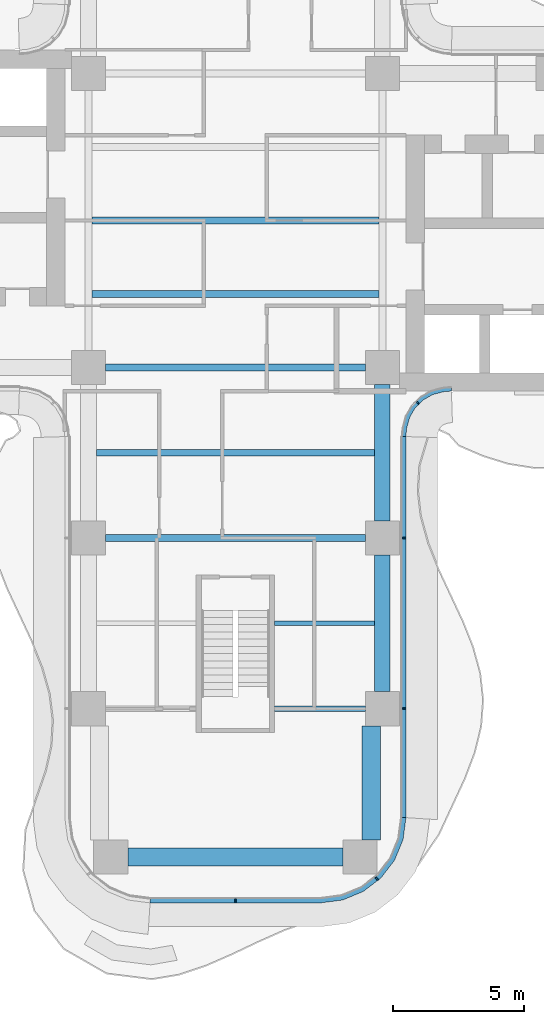
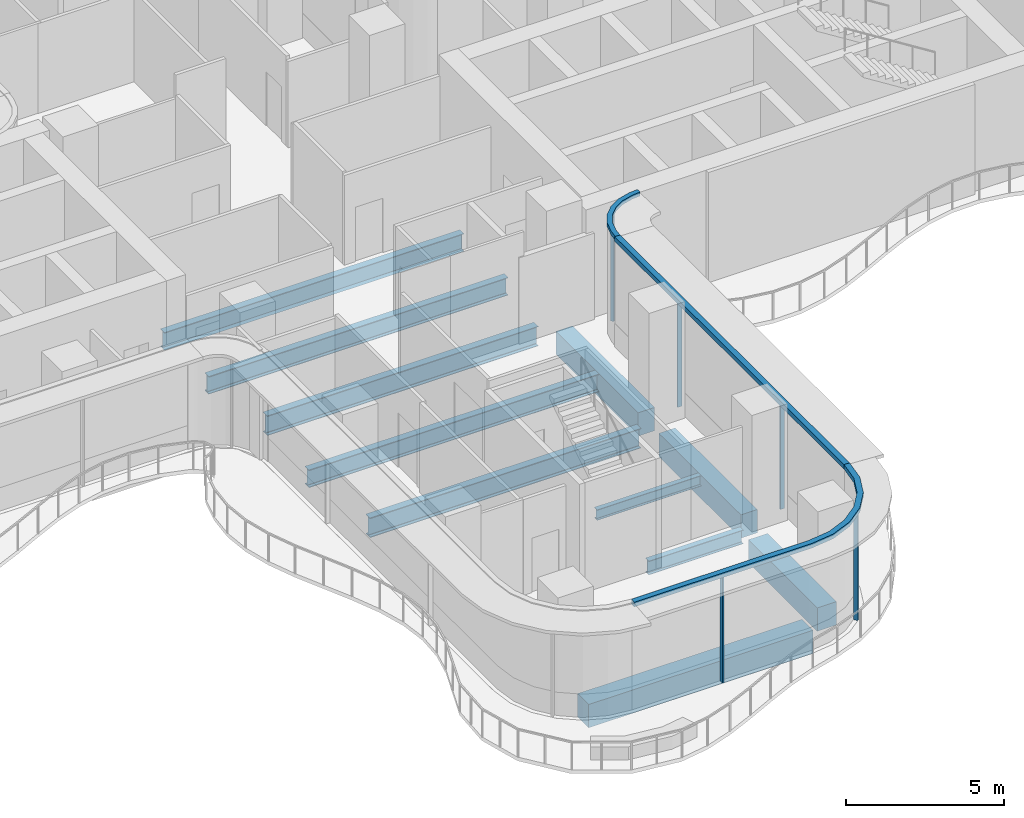
# One storey, part 5 of 20: 11 beams, 8 members, 3 elements without a shape of their own.
"""IFC4 building model written with IfcOpenShell, lengths in metres."""

from ifc_helpers import new_model, si_unit, direction, frame, origin, origin_2d, place, context, subcontext, project, spatial, polyline, rectangle, i_section, outline, extrude, source, transform, mapped, material, layer, layer_set, material_profile, profile_set, type_object, element, aggregate, save


model = new_model("IFC4")

# Units and contexts
model_context = context("Model", 3, precision=1e-05, world=origin(), true_north=direction((0.0, 1.0)))
body_context = subcontext(model_context, "Body", "Model", "MODEL_VIEW")
ifc_project = project(units=[si_unit("LENGTHUNIT", "METRE"), si_unit("AREAUNIT", "SQUARE_METRE"), si_unit("VOLUMEUNIT", "CUBIC_METRE"), si_unit("PLANEANGLEUNIT", "RADIAN"), si_unit("MASSUNIT", "GRAM", prefix="KILO")], contexts=[model_context])

# Site, building, storey
site_placement = place(None, origin())
site = spatial("IfcSite", under=ifc_project, at=site_placement, CompositionType="ELEMENT")
building_placement = place(site_placement, origin())
building = spatial("IfcBuilding", under=site, at=building_placement, Name="Trellis Farm Tower", CompositionType="ELEMENT")
storey_placement = place(building_placement, frame((0.0, 0.0, 129.0)))
storey = spatial("IfcBuildingStorey", under=building, at=storey_placement, Name="L27", CompositionType="ELEMENT", Elevation=129.0)

# Beams
ifc_material_1 = material(Name="Steel S355", Category="steel")
ifc_material_profile_1 = material_profile(ifc_material_1, i_section(OverallWidth=0.253662109375, OverallDepth=0.68359375, WebThickness=0.012451171875, FlangeThickness=0.021728515625, FilletRadius=0.01513671875, at=origin_2d()), Name="UB 686x254x140")
ifc_profile_set_1 = profile_set([ifc_material_profile_1], Name="Steel S355")
beam_type_1 = type_object("IfcBeamType", Name="UB 686x254x140 joist", PredefinedType="JOIST", material=ifc_profile_set_1)
shared_shape_1 = source(origin(), body_context, "Body", "SweptSolid", [
    extrude(i_section(OverallWidth=0.253662109375, OverallDepth=0.68359375, WebThickness=0.012451171875, FlangeThickness=0.021728515625, FilletRadius=0.01513671875, at=origin_2d()), origin(), (0.0, 0.0, 1.0), 10.93310546875),
])
for number, where, z_axis, x_axis, name in (
    (1, (-5.466552734375, -2.800048828125, -0.591796875), (1.0, 0.0, 0.0), (0.0, 1.0, 0.0), "Floor beam"),
    (2, (-5.466552734375, 0.0, -0.591796875), (1.0, 0.0, 0.0), (0.0, 1.0, 0.0), "Floor beam"),
):
    element("IfcBeam", number, at=place(storey_placement, frame(where, z_axis=z_axis, x_axis=x_axis)), inside=storey, type_object=beam_type_1, Name=name, PredefinedType="JOIST", context=body_context, shape_type="MappedRepresentation", body=[
        mapped(shared_shape_1, transform((0.0, 0.0, 0.0))),
    ])
ifc_material_profile_2 = material_profile(ifc_material_1, i_section(OverallWidth=0.177978515625, OverallDepth=0.406494140625, WebThickness=0.0078125, FlangeThickness=0.0126953125, FilletRadius=0.01025390625, at=origin_2d()), Name="UB 406x178x60")
ifc_profile_set_2 = profile_set([ifc_material_profile_2], Name="Steel S355")
beam_type_2 = type_object("IfcBeamType", Name="UB 406x178x60 joist", PredefinedType="JOIST", material=ifc_profile_set_2)
shared_shape_2 = source(origin(), body_context, "Body", "SweptSolid", [
    extrude(i_section(OverallWidth=0.177978515625, OverallDepth=0.406494140625, WebThickness=0.0078125, FlangeThickness=0.0126953125, FilletRadius=0.01025390625, at=origin_2d()), origin(), (0.0, 0.0, 1.0), 3.800048828125),
])
beam_1_placement = place(storey_placement, frame((1.5, -15.35009765625, -0.453125), z_axis=(1.0, 0.0, 0.0), x_axis=(0.0, 1.0, 0.0)))
element("IfcBeam", 3, at=beam_1_placement, inside=storey, type_object=beam_type_2, Name="Floor beam", PredefinedType="JOIST", context=body_context, shape_type="MappedRepresentation", body=[
    mapped(shared_shape_2, transform((0.0, 0.0, 0.0))),
])
shared_shape_3 = source(origin(), body_context, "Body", "SweptSolid", [
    extrude(i_section(OverallWidth=0.253662109375, OverallDepth=0.68359375, WebThickness=0.012451171875, FlangeThickness=0.021728515625, FilletRadius=0.01513671875, at=origin_2d()), origin(), (0.0, 0.0, 1.0), 10.60009765625),
])
beam_2_placement = place(storey_placement, frame((-5.300048828125, -8.85009765625, -0.591796875), z_axis=(1.0, 0.0, 0.0), x_axis=(0.0, 1.0, 0.0)))
element("IfcBeam", 4, at=beam_2_placement, inside=storey, type_object=beam_type_1, Name="Floor beam", PredefinedType="JOIST", context=body_context, shape_type="MappedRepresentation", body=[
    mapped(shared_shape_3, transform((0.0, 0.0, 0.0))),
])
ifc_material_profile_3 = material_profile(ifc_material_1, i_section(OverallWidth=0.209228515625, OverallDepth=0.533203125, WebThickness=0.010009765625, FlangeThickness=0.015625, FilletRadius=0.0126953125, at=origin_2d()), Name="UB 533x210x92")
ifc_profile_set_3 = profile_set([ifc_material_profile_3], Name="Steel S355")
beam_type_3 = type_object("IfcBeamType", Name="UB 533x210x92", PredefinedType="BEAM", material=ifc_profile_set_3)
shared_shape_4 = source(origin(), body_context, "Body", "SweptSolid", [
    extrude(i_section(OverallWidth=0.209228515625, OverallDepth=0.533203125, WebThickness=0.010009765625, FlangeThickness=0.015625, FilletRadius=0.0126953125, at=origin_2d()), origin(), (0.0, 0.0, 1.0), 3.449951171875),
])
beam_3_placement = place(storey_placement, frame((1.5, -18.60009765625, -0.5166015625), z_axis=(1.0, 0.0, 0.0), x_axis=(0.0, 1.0, 0.0)))
element("IfcBeam", 5, at=beam_3_placement, inside=storey, type_object=beam_type_3, Name="Girder", PredefinedType="BEAM", context=body_context, shape_type="MappedRepresentation", body=[
    mapped(shared_shape_4, transform((0.0, 0.0, 0.0))),
])
ifc_material_profile_4 = material_profile(ifc_material_1, i_section(OverallWidth=0.2666015625, OverallDepth=0.76220703125, WebThickness=0.014404296875, FlangeThickness=0.021484375, FilletRadius=0.0166015625, at=origin_2d()), Name="UB 762x267x173")
ifc_profile_set_4 = profile_set([ifc_material_profile_4], Name="Steel S355")
beam_type_4 = type_object("IfcBeamType", Name="UB 762x267x173", PredefinedType="BEAM", material=ifc_profile_set_4)
shared_shape_5 = source(origin(), body_context, "Body", "SweptSolid", [
    extrude(i_section(OverallWidth=0.2666015625, OverallDepth=0.76220703125, WebThickness=0.014404296875, FlangeThickness=0.021484375, FilletRadius=0.0166015625, at=origin_2d()), origin(), (0.0, 0.0, 1.0), 9.89990234375),
])
for number, where, z_axis, x_axis, name in (
    (6, (-4.949951171875, -12.10009765625, -0.631103515625), (1.0, 0.0, 0.0), (0.0, 1.0, 0.0), "Girder"),
    (7, (-4.949951171875, -5.60009765625, -0.631103515625), (1.0, 0.0, 0.0), (0.0, 1.0, 0.0), "Girder"),
):
    element("IfcBeam", number, at=place(storey_placement, frame(where, z_axis=z_axis, x_axis=x_axis)), inside=storey, type_object=beam_type_4, Name=name, PredefinedType="BEAM", context=body_context, shape_type="MappedRepresentation", body=[
        mapped(shared_shape_5, transform((0.0, 0.0, 0.0))),
    ])
ifc_material_2 = material(Name="Concrete C60/75", Category="concrete")
ifc_material_profile_5 = material_profile(ifc_material_2, rectangle(XDim=0.60009765625, YDim=0.89990234375, at=origin_2d()), Name="RC spandrel beam 600x900 C60/75")
ifc_profile_set_5 = profile_set([ifc_material_profile_5], Name="Concrete C60/75")
beam_type_5 = type_object("IfcBeamType", Name="RC spandrel beam 600x900 C60/75", PredefinedType="SPANDREL", material=ifc_profile_set_5)
shared_shape_6 = source(origin(), body_context, "Body", "SweptSolid", [
    extrude(rectangle(XDim=0.60009765625, YDim=0.89990234375, at=origin_2d()), origin(), (0.0, 0.0, 1.0), 5.199951171875),
])
for number, where, z_axis, x_axis, name in (
    (8, (5.60009765625, -17.949951171875, -0.699951171875), (0.0, 1.0, 0.0), (-1.0, 0.0, 0.0), "Girder"),
    (9, (5.60009765625, -11.449951171875, -0.699951171875), (0.0, 1.0, 0.0), (-1.0, 0.0, 0.0), "Girder"),
):
    element("IfcBeam", number, at=place(storey_placement, frame(where, z_axis=z_axis, x_axis=x_axis)), inside=storey, type_object=beam_type_5, Name=name, PredefinedType="SPANDREL", context=body_context, shape_type="MappedRepresentation", body=[
        mapped(shared_shape_6, transform((0.0, 0.0, 0.0))),
    ])
ifc_material_profile_6 = material_profile(ifc_material_2, rectangle(XDim=0.699951171875, YDim=0.89990234375, at=origin_2d()), Name="RC spandrel beam 700x900 C60/75")
ifc_profile_set_6 = profile_set([ifc_material_profile_6], Name="Concrete C60/75")
beam_type_6 = type_object("IfcBeamType", Name="RC spandrel beam 700x900 C60/75", PredefinedType="SPANDREL", material=ifc_profile_set_6)
shared_shape_7 = source(origin(), body_context, "Body", "SweptSolid", [
    extrude(rectangle(XDim=0.699951171875, YDim=0.89990234375, at=origin_2d()), origin(), (0.0, 0.0, 1.0), 4.35009765625),
])
beam_4_placement = place(storey_placement, frame((5.175048828125, -23.60009765625, -0.699951171875), z_axis=(0.0, 1.0, 0.0), x_axis=(-1.0, 0.0, 0.0)))
element("IfcBeam", 10, at=beam_4_placement, inside=storey, type_object=beam_type_6, Name="Girder", PredefinedType="SPANDREL", context=body_context, shape_type="MappedRepresentation", body=[
    mapped(shared_shape_7, transform((0.0, 0.0, 0.0))),
])
shared_shape_8 = source(origin(), body_context, "Body", "SweptSolid", [
    extrude(rectangle(XDim=0.699951171875, YDim=0.89990234375, at=origin_2d()), origin(), (0.0, 0.0, 1.0), 8.2001953125),
])
beam_5_placement = place(storey_placement, frame((-4.10009765625, -24.25, -0.699951171875), z_axis=(1.0, 0.0, 0.0), x_axis=(0.0, 1.0, 0.0)))
element("IfcBeam", 11, at=beam_5_placement, inside=storey, type_object=beam_type_6, Name="Girder", PredefinedType="SPANDREL", context=body_context, shape_type="MappedRepresentation", body=[
    mapped(shared_shape_8, transform((0.0, 0.0, 0.0))),
])

# Curtain wall, members
ifc_material_3 = material(Name="Aluminium and glass curtain wall", Category="aluminium")
ifc_layer_1 = layer(ifc_material_3, 0.18994140625)
ifc_layer_set_1 = layer_set([ifc_layer_1], Name="RIBBON CURTAIN WALL CW1")
curtain_wall_type_1 = type_object("IfcCurtainWallType", Name="RIBBON CURTAIN WALL CW1", PredefinedType="NOTDEFINED", material=ifc_layer_set_1)
placement_1 = place(storey_placement, origin())
curtain_wall_1 = element("IfcCurtainWall", 12, at=placement_1, inside=storey, type_object=curtain_wall_type_1, Name="CW1 003", PredefinedType="NOTDEFINED")
ifc_material_4 = material(Name="Aluminium extrusion 6063-T6", Category="aluminium")
ifc_material_profile_7 = material_profile(ifc_material_4, rectangle(XDim=0.06005859375, YDim=0.14990234375, at=origin_2d()), Name="MULLION 60x150")
ifc_profile_set_7 = profile_set([ifc_material_profile_7], Name="Aluminium extrusion 6063-T6")
member_type_1 = type_object("IfcMemberType", Name="CW1 MULLION 60x150", PredefinedType="MULLION", material=ifc_profile_set_7)
shared_shape_9 = source(origin(), body_context, "Body", "SweptSolid", [
    extrude(rectangle(XDim=0.06005859375, YDim=0.14990234375, at=origin_2d()), origin(), (0.0, 0.0, 1.0), 4.070068359375),
])
member_1_placement = place(storey_placement, frame((0.0, -25.925048828125, 0.0), z_axis=(0.0, 0.0, 1.0), x_axis=(1.0, 0.0, 0.0)))
member_1 = element("IfcMember", 13, at=member_1_placement, type_object=member_type_1, Name="MU1 003-01", PredefinedType="MULLION", context=body_context, shape_type="MappedRepresentation", body=[
    mapped(shared_shape_9, transform((0.0, 0.0, 0.0))),
])
member_2_placement = place(storey_placement, frame((5.385498046875, -25.078369140625, 0.0), z_axis=(0.0, 0.0, 1.0), x_axis=(0.793353340291, 0.608761429009, 0.0)))
member_2 = element("IfcMember", 14, at=member_2_placement, type_object=member_type_1, Name="MU1 003-02", PredefinedType="MULLION", context=body_context, shape_type="MappedRepresentation", body=[
    mapped(shared_shape_9, transform((0.0, 0.0, 0.0))),
])

curtain_wall_2 = element("IfcCurtainWall", 15, at=placement_1, inside=storey, type_object=curtain_wall_type_1, Name="CW1 004", PredefinedType="NOTDEFINED")
member_3_placement = place(storey_placement, frame((6.425048828125, -18.60009765625, 0.0), z_axis=(0.0, 0.0, 1.0), x_axis=(0.0, 1.0, 0.0)))
member_3 = element("IfcMember", 16, at=member_3_placement, type_object=member_type_1, Name="MU1 004-01", PredefinedType="MULLION", context=body_context, shape_type="MappedRepresentation", body=[
    mapped(shared_shape_9, transform((0.0, 0.0, 0.0))),
])
member_4_placement = place(storey_placement, frame((6.425048828125, -12.10009765625, 0.0), z_axis=(0.0, 0.0, 1.0), x_axis=(0.0, 1.0, 0.0)))
member_4 = element("IfcMember", 17, at=member_4_placement, type_object=member_type_1, Name="MU1 004-02", PredefinedType="MULLION", context=body_context, shape_type="MappedRepresentation", body=[
    mapped(shared_shape_9, transform((0.0, 0.0, 0.0))),
])

ifc_layer_2 = layer(ifc_material_3, 0.166015625)
ifc_layer_set_2 = layer_set([ifc_layer_2], Name="WINTER GARDEN CURTAIN WALL CW3")
curtain_wall_type_2 = type_object("IfcCurtainWallType", Name="WINTER GARDEN CURTAIN WALL CW3", PredefinedType="NOTDEFINED", material=ifc_layer_set_2)
curtain_wall_3 = element("IfcCurtainWall", 18, at=placement_1, inside=storey, type_object=curtain_wall_type_2, Name="CW3 002", PredefinedType="NOTDEFINED")
ifc_material_profile_8 = material_profile(ifc_material_4, rectangle(XDim=0.050048828125, YDim=0.1201171875, at=origin_2d()), Name="MULLION 50x120")
ifc_profile_set_8 = profile_set([ifc_material_profile_8], Name="Aluminium extrusion 6063-T6")
member_type_2 = type_object("IfcMemberType", Name="CW3 MULLION 50x120", PredefinedType="MULLION", material=ifc_profile_set_8)
shared_shape_10 = source(origin(), body_context, "Body", "SweptSolid", [
    extrude(rectangle(XDim=0.050048828125, YDim=0.1201171875, at=origin_2d()), origin(), (0.0, 0.0, 1.0), 4.10009765625),
])
member_5_placement = place(storey_placement, frame((6.953125, -6.953125, 0.0), z_axis=(0.0, 0.0, 1.0), x_axis=(0.707106781187, 0.707106781187, 0.0)))
member_5 = element("IfcMember", 19, at=member_5_placement, type_object=member_type_2, Name="MU3 002-01", PredefinedType="MULLION", context=body_context, shape_type="MappedRepresentation", body=[
    mapped(shared_shape_10, transform((0.0, 0.0, 0.0))),
])
ifc_layer_3 = layer(ifc_material_4, 0.169921875)
ifc_layer_set_3 = layer_set([ifc_layer_3], Name="Aluminium extrusion 6063-T6")
member_type_3 = type_object("IfcMemberType", Name="CW3 TRANSOM 170x150", PredefinedType="USERDEFINED", material=ifc_layer_set_3)
shared_shape_11 = source(origin(), body_context, "Body", "SweptSolid", [
    extrude(outline(polyline([(6.5, -8.2314453125), (6.513916015625, -8.01953125), (6.527587890625, -7.91552734375), (6.63671875, -7.508544921875), (6.846923828125, -7.144287109375), (7.144287109375, -6.846923828125), (7.508544921875, -6.63671875), (7.91552734375, -6.527587890625), (8.01953125, -6.513916015625), (8.2314453125, -6.5), (8.225830078125, -6.330078125), (8.0029296875, -6.3447265625), (7.88232421875, -6.360595703125), (7.44287109375, -6.478271484375), (7.0400390625, -6.7109375), (6.7109375, -7.0400390625), (6.478271484375, -7.44287109375), (6.360595703125, -7.88232421875), (6.3447265625, -8.0029296875), (6.330078125, -8.225830078125), (6.5, -8.2314453125)])), origin(), (0.0, 0.0, 1.0), 0.14990234375),
])
member_6_placement = place(storey_placement, frame((0.0, 0.0, 4.10009765625)))
member_6 = element("IfcMember", 20, at=member_6_placement, type_object=member_type_3, Name="TR3 002", ObjectType="TRANSOM", PredefinedType="USERDEFINED", context=body_context, shape_type="MappedRepresentation", body=[
    mapped(shared_shape_11, transform((0.0, 0.0, 0.0))),
])
aggregate(curtain_wall_3, [member_5, member_6])

# Member
ifc_layer_4 = layer(ifc_material_4, 0.199951171875)
ifc_layer_set_4 = layer_set([ifc_layer_4], Name="Aluminium extrusion 6063-T6")
member_type_4 = type_object("IfcMemberType", Name="CW1 TRANSOM 200x180", PredefinedType="USERDEFINED", material=ifc_layer_set_4)
shared_shape_12 = source(origin(), body_context, "Body", "SweptSolid", [
    extrude(outline(polyline([(6.5, -22.75), (6.5, -8.2314453125), (6.300048828125, -8.224853515625), (6.300048828125, -22.73681640625), (6.5, -22.75)])), origin(), (0.0, 0.0, 1.0), 0.179931640625),
])
placement_2 = place(storey_placement, frame((0.0, 0.0, 4.070068359375)))
member_7 = element("IfcMember", 21, at=placement_2, type_object=member_type_4, Name="TR1 004", ObjectType="TRANSOM", PredefinedType="USERDEFINED", context=body_context, shape_type="MappedRepresentation", body=[
    mapped(shared_shape_12, transform((0.0, 0.0, 0.0))),
])

aggregate(curtain_wall_2, [member_3, member_4, member_7])

shared_shape_13 = source(origin(), body_context, "Body", "SweptSolid", [
    extrude(outline(polyline([(-3.25, -26.0), (3.25, -26.0), (4.091064453125, -25.88916015625), (4.875, -25.564697265625), (5.548095703125, -25.048095703125), (6.064697265625, -24.375), (6.38916015625, -23.591064453125), (6.5, -22.75), (6.300048828125, -22.73681640625), (6.1943359375, -23.5390625), (5.889892578125, -24.274169921875), (5.405517578125, -24.905517578125), (4.774169921875, -25.389892578125), (4.0390625, -25.6943359375), (3.23681640625, -25.800048828125), (-3.23681640625, -25.800048828125), (-3.25, -26.0)])), origin(), (0.0, 0.0, 1.0), 0.179931640625),
])
member_8 = element("IfcMember", 22, at=placement_2, type_object=member_type_4, Name="TR1 003", ObjectType="TRANSOM", PredefinedType="USERDEFINED", context=body_context, shape_type="MappedRepresentation", body=[
    mapped(shared_shape_13, transform((0.0, 0.0, 0.0))),
])

aggregate(curtain_wall_1, [member_1, member_2, member_8])

save(model, "model.ifc")
